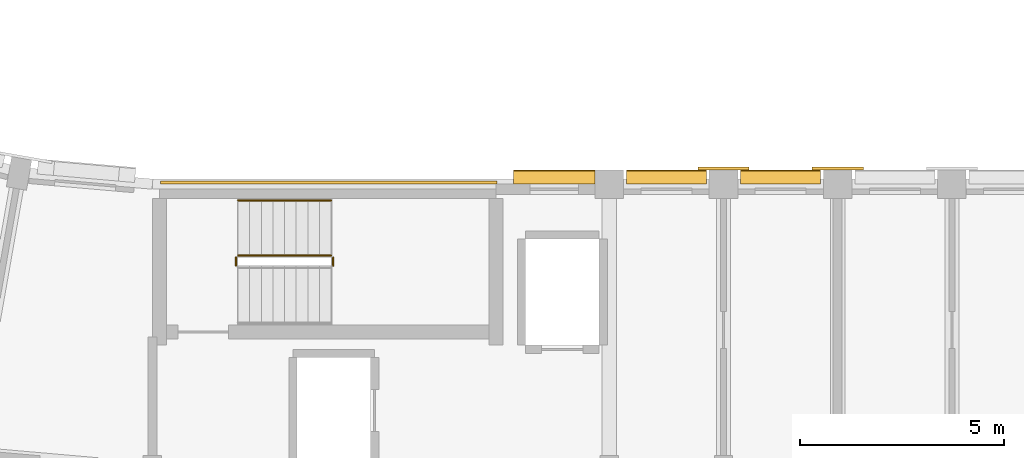
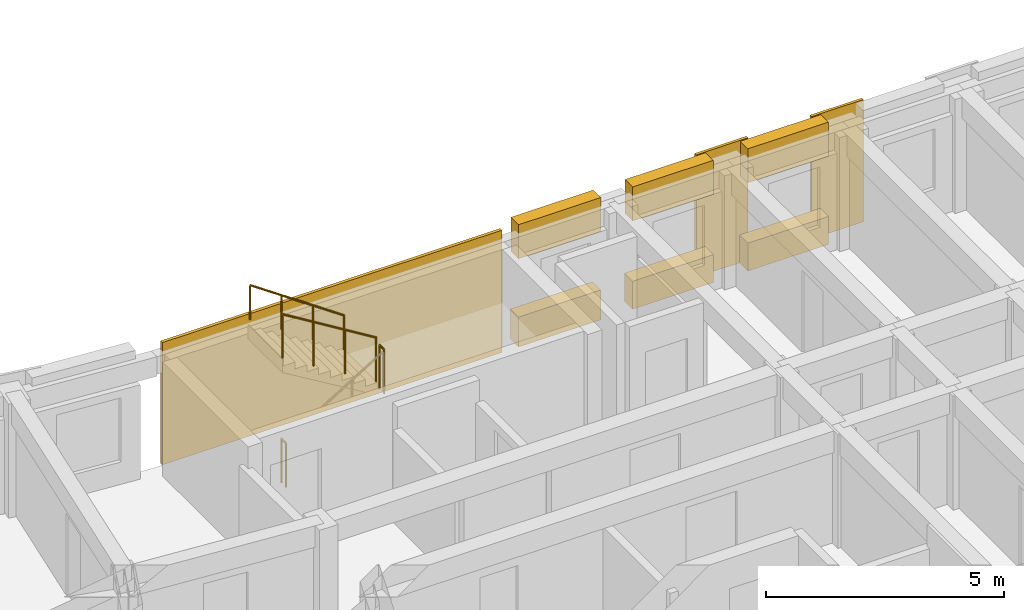
# One storey, part 43 of 57: 9 coverings, 4 railings.
"""IFC4 building model written with IfcOpenShell, lengths in metres."""

from ifc_helpers import new_model, si_unit, direction, frame, origin, origin_2d, place, context, subcontext, project, spatial, polyline, circle, outline, extrude, material, layer, layer_set, type_object, element, save


model = new_model("IFC4")

# Units and contexts
model_context = context("Model", 3, precision=1e-05, world=origin(), true_north=direction((0.0, 1.0)))
body_context = subcontext(model_context, "Body", "Model", "MODEL_VIEW")
ifc_project = project(units=[si_unit("LENGTHUNIT", "METRE"), si_unit("AREAUNIT", "SQUARE_METRE"), si_unit("VOLUMEUNIT", "CUBIC_METRE"), si_unit("PLANEANGLEUNIT", "RADIAN"), si_unit("MASSUNIT", "GRAM", prefix="KILO")], contexts=[model_context])

# Site, building, storey
site_placement = place(None, origin())
site = spatial("IfcSite", under=ifc_project, at=site_placement, CompositionType="ELEMENT")
building_placement = place(site_placement, origin())
building = spatial("IfcBuilding", under=site, at=building_placement, Name="Kiranvali Square Residences", CompositionType="ELEMENT")
storey_placement = place(building_placement, frame((0.0, 0.0, 24.449951171875)))
storey = spatial("IfcBuildingStorey", under=building, at=storey_placement, Name="L07", CompositionType="ELEMENT", Elevation=24.449951171875)

# Coverings
ifc_material_1 = material(Name="Honed Porbandar limestone ashlar facade cladding", Category="masonry")
ifc_layer_1 = layer(ifc_material_1, 0.06494140625)
ifc_layer_set_1 = layer_set([ifc_layer_1], Name="Honed Porbandar limestone ashlar facade cladding")
covering_type_1 = type_object("IfcCoveringType", Name="COV-CLAD-PIER", PredefinedType="CLADDING", material=ifc_layer_set_1)
covering_1_placement = place(storey_placement, frame((0.0, 0.0, 0.005126953125)))
element("IfcCovering", 1, at=covering_1_placement, inside=storey, type_object=covering_type_1, Name="Block C L07 garden stair limestone ashlar cladding", PredefinedType="CLADDING", context=body_context, shape_type="SweptSolid", body=[
    extrude(outline(polyline([(48.39990234375, 29.402099609375), (56.64990234375, 29.402099609375), (56.64990234375, 29.47998046875), (48.39990234375, 29.47998046875), (48.39990234375, 29.402099609375)])), origin(), (0.0, 0.0, 1.0), 3.139892578125),
])
ifc_layer_2 = layer(ifc_material_1, 0.050048828125)
ifc_layer_set_2 = layer_set([ifc_layer_2], Name="Honed Porbandar limestone ashlar facade cladding")
covering_type_2 = type_object("IfcCoveringType", Name="COV-CLAD-PIER-IN", PredefinedType="CLADDING", material=ifc_layer_set_2)
covering_2_placement = place(storey_placement, frame((0.0, 0.0, 0.005126953125)))
element("IfcCovering", 2, at=covering_2_placement, inside=storey, type_object=covering_type_2, Name="L07 Classical limestone pilaster casing CLAD-PRA1I-C-L07-U140", PredefinedType="CLADDING", context=body_context, shape_type="SweptSolid", body=[
    extrude(outline(polyline([(61.570068359375, 29.75048828125), (62.830078125, 29.75048828125), (62.830078125, 29.818115234375), (61.570068359375, 29.818115234375), (61.570068359375, 29.75048828125)])), origin(), (0.0, 0.0, 1.0), 3.139892578125),
])
covering_3_placement = place(storey_placement, frame((0.0, 0.0, 0.005126953125)))
element("IfcCovering", 3, at=covering_3_placement, inside=storey, type_object=covering_type_2, Name="L07 Classical limestone pilaster casing CLAD-PRA1I-C-L07-U167", PredefinedType="CLADDING", context=body_context, shape_type="SweptSolid", body=[
    extrude(outline(polyline([(64.3701171875, 29.75048828125), (65.6298828125, 29.75048828125), (65.6298828125, 29.818115234375), (64.3701171875, 29.818115234375), (64.3701171875, 29.75048828125)])), origin(), (0.0, 0.0, 1.0), 3.139892578125),
])
ifc_layer_3 = layer(ifc_material_1, 0.360107421875)
ifc_layer_set_3 = layer_set([ifc_layer_3], Name="Honed Porbandar limestone ashlar facade cladding")
covering_type_3 = type_object("IfcCoveringType", Name="COV-CLAD-WALL", PredefinedType="CLADDING", material=ifc_layer_set_3)
covering_4_placement = place(storey_placement, frame((0.0, 0.0, 2.27197265625)))
element("IfcCovering", 4, at=covering_4_placement, inside=storey, type_object=covering_type_3, Name="L07 light limestone spandrel lintel C-L07-A1IN-0", PredefinedType="CLADDING", context=body_context, shape_type="SweptSolid", body=[
    extrude(outline(polyline([(57.050048828125, 29.400390625), (59.050048828125, 29.400390625), (59.050048828125, 29.719970703125), (57.050048828125, 29.719970703125), (57.050048828125, 29.400390625)])), origin(), (0.0, 0.0, 1.0), 0.873046875),
])
covering_5_placement = place(storey_placement, frame((0.0, 0.0, 0.005126953125)))
element("IfcCovering", 5, at=covering_5_placement, inside=storey, type_object=covering_type_3, Name="L07 limestone window sill apron C-L07-A1IN-0", PredefinedType="CLADDING", context=body_context, shape_type="SweptSolid", body=[
    extrude(outline(polyline([(57.050048828125, 29.400390625), (59.050048828125, 29.400390625), (59.050048828125, 29.75), (57.050048828125, 29.75), (57.050048828125, 29.400390625)])), origin(), (0.0, 0.0, 1.0), 0.766845703125),
])
covering_6_placement = place(storey_placement, frame((0.0, 0.0, 2.27197265625)))
element("IfcCovering", 6, at=covering_6_placement, inside=storey, type_object=covering_type_3, Name="L07 light limestone spandrel lintel C-L07-A1I-0", PredefinedType="CLADDING", context=body_context, shape_type="SweptSolid", body=[
    extrude(outline(polyline([(59.820068359375, 29.400390625), (61.780029296875, 29.400390625), (61.780029296875, 29.719970703125), (59.820068359375, 29.719970703125), (59.820068359375, 29.400390625)])), origin(), (0.0, 0.0, 1.0), 0.873046875),
])
covering_7_placement = place(storey_placement, frame((0.0, 0.0, 0.005126953125)))
element("IfcCovering", 7, at=covering_7_placement, inside=storey, type_object=covering_type_3, Name="L07 limestone window sill apron C-L07-A1I-0", PredefinedType="CLADDING", context=body_context, shape_type="SweptSolid", body=[
    extrude(outline(polyline([(59.820068359375, 29.400390625), (61.780029296875, 29.400390625), (61.780029296875, 29.75), (59.820068359375, 29.75), (59.820068359375, 29.400390625)])), origin(), (0.0, 0.0, 1.0), 0.717041015625),
])
covering_8_placement = place(storey_placement, frame((0.0, 0.0, 2.27197265625)))
element("IfcCovering", 8, at=covering_8_placement, inside=storey, type_object=covering_type_3, Name="L07 light limestone spandrel lintel C-L07-A1I-1", PredefinedType="CLADDING", context=body_context, shape_type="SweptSolid", body=[
    extrude(outline(polyline([(62.6201171875, 29.400390625), (64.580078125, 29.400390625), (64.580078125, 29.719970703125), (62.6201171875, 29.719970703125), (62.6201171875, 29.400390625)])), origin(), (0.0, 0.0, 1.0), 0.873046875),
])
covering_9_placement = place(storey_placement, frame((0.0, 0.0, 0.005126953125)))
element("IfcCovering", 9, at=covering_9_placement, inside=storey, type_object=covering_type_3, Name="L07 limestone window sill apron C-L07-A1I-1", PredefinedType="CLADDING", context=body_context, shape_type="SweptSolid", body=[
    extrude(outline(polyline([(62.6201171875, 29.400390625), (64.580078125, 29.400390625), (64.580078125, 29.75), (62.6201171875, 29.75), (62.6201171875, 29.400390625)])), origin(), (0.0, 0.0, 1.0), 0.717041015625),
])

# Railings
ifc_material_2 = material(Name="Brushed stainless steel tubular handrail", Category="steel")
railing_type_1 = type_object("IfcRailingType", Name="RL-HANDRAIL-900", PredefinedType="HANDRAIL", material=ifc_material_2)
railing_1_placement = place(storey_placement, frame((52.580078125, 29.0, 1.75)))
element("IfcRailing", 10, at=railing_1_placement, inside=storey, type_object=railing_type_1, Name="L07 ST-C2 stair handrail 2", PredefinedType="HANDRAIL", context=body_context, shape_type="SweptSolid", body=[
    extrude(circle(Radius=0.02392578125, at=origin_2d()), frame((0.0, 0.0, 0.8759765625), z_axis=(-0.82278801735, 0.0, 0.568348377763), x_axis=(0.0, -1.0, 0.0)), (0.0, 0.0, 1.0), 2.77099609375),
    extrude(circle(Radius=0.02099609375, at=origin_2d()), origin(), (0.0, 0.0, 1.0), 0.851806640625),
    extrude(circle(Radius=0.02099609375, at=origin_2d()), frame((-0.760009765625, 0.0, 0.52490234375)), (0.0, 0.0, 1.0), 0.851806640625),
    extrude(circle(Radius=0.02099609375, at=origin_2d()), frame((-1.52001953125, 0.0, 1.050048828125)), (0.0, 0.0, 1.0), 0.851806640625),
    extrude(circle(Radius=0.02099609375, at=origin_2d()), frame((-2.280029296875, 0.0, 1.574951171875)), (0.0, 0.0, 1.0), 0.851806640625),
])
ifc_material_3 = material(Name="Powder-coated architectural bronze balustrade", Category="steel")
railing_type_2 = type_object("IfcRailingType", Name="RL-ST-GUARD-1200", PredefinedType="GUARDRAIL", material=ifc_material_3)
railing_2_placement = place(storey_placement, frame((52.6298828125, 27.39990234375, 1.574951171875)))
element("IfcRailing", 11, at=railing_2_placement, inside=storey, type_object=railing_type_2, Name="L07 ST-C2 stair guard 2", PredefinedType="GUARDRAIL", context=body_context, shape_type="SweptSolid", body=[
    extrude(circle(Radius=0.02392578125, at=origin_2d()), frame((0.0, 0.0, 1.1259765625), z_axis=(0.0, 1.0, 0.0), x_axis=(-1.0, 0.0, 0.0)), (0.0, 0.0, 1.0), 0.2001953125),
    extrude(circle(Radius=0.02099609375, at=origin_2d()), origin(), (0.0, 0.0, 1.0), 1.101806640625),
    extrude(circle(Radius=0.02099609375, at=origin_2d()), frame((0.0, 0.2001953125, 0.0)), (0.0, 0.0, 1.0), 1.101806640625),
])
railing_3_placement = place(storey_placement, frame((52.580078125, 27.64990234375, 1.75)))
element("IfcRailing", 12, at=railing_3_placement, inside=storey, type_object=railing_type_2, Name="L07 ST-C2 stair guard 3", PredefinedType="GUARDRAIL", context=body_context, shape_type="SweptSolid", body=[
    extrude(circle(Radius=0.02392578125, at=origin_2d()), frame((0.0, 0.0, 1.1259765625), z_axis=(-0.852149810458, 0.0, 0.523297908018), x_axis=(0.0, -1.0, 0.0)), (0.0, 0.0, 1.0), 2.675537109375),
    extrude(circle(Radius=0.02099609375, at=origin_2d()), origin(), (0.0, 0.0, 1.0), 1.101806640625),
    extrude(circle(Radius=0.02099609375, at=origin_2d()), frame((-0.760009765625, 0.0, 0.466796875)), (0.0, 0.0, 1.0), 1.101806640625),
    extrude(circle(Radius=0.02099609375, at=origin_2d()), frame((-1.52001953125, 0.0, 0.933349609375)), (0.0, 0.0, 1.0), 1.101806640625),
    extrude(circle(Radius=0.02099609375, at=origin_2d()), frame((-2.280029296875, 0.0, 1.400146484375)), (0.0, 0.0, 1.0), 1.101806640625),
])
railing_4_placement = place(storey_placement, frame((50.25, 27.39990234375, 0.0)))
element("IfcRailing", 13, at=railing_4_placement, inside=storey, type_object=railing_type_2, Name="L07 ST-C2 stair guard 4", PredefinedType="GUARDRAIL", context=body_context, shape_type="SweptSolid", body=[
    extrude(circle(Radius=0.02392578125, at=origin_2d()), frame((0.0, 0.0, 1.1259765625), z_axis=(0.0, 1.0, 0.0), x_axis=(-1.0, 0.0, 0.0)), (0.0, 0.0, 1.0), 0.2001953125),
    extrude(circle(Radius=0.02099609375, at=origin_2d()), origin(), (0.0, 0.0, 1.0), 1.101806640625),
    extrude(circle(Radius=0.02099609375, at=origin_2d()), frame((0.0, 0.2001953125, 0.0)), (0.0, 0.0, 1.0), 1.101806640625),
])

save(model, "model.ifc")
